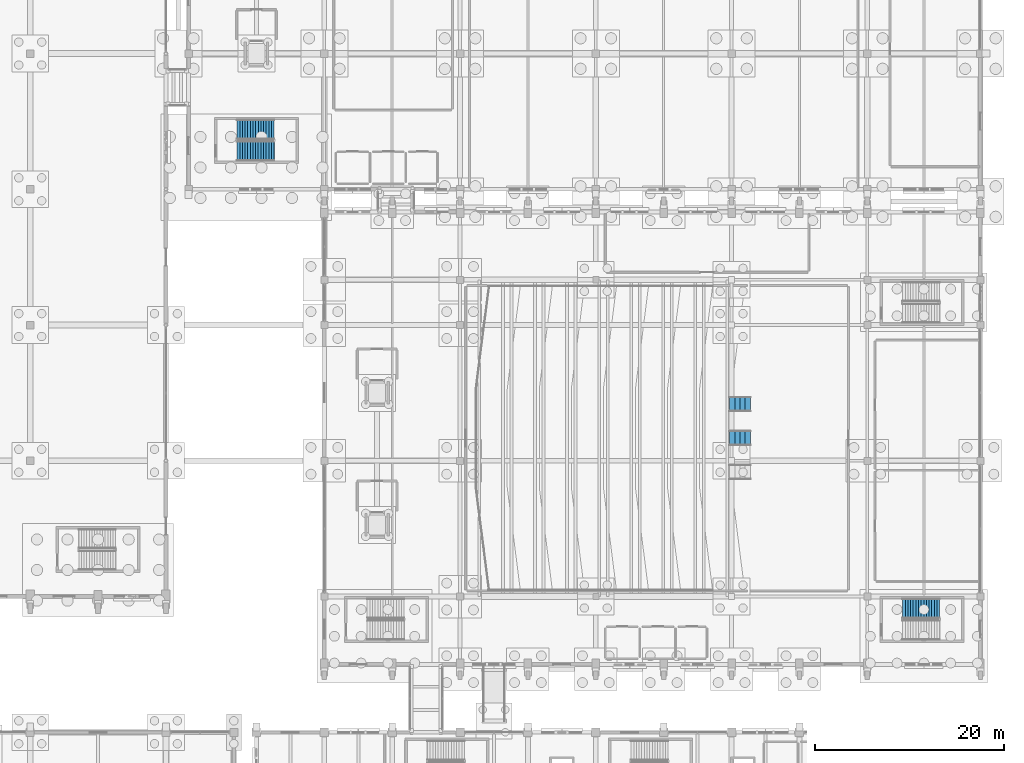
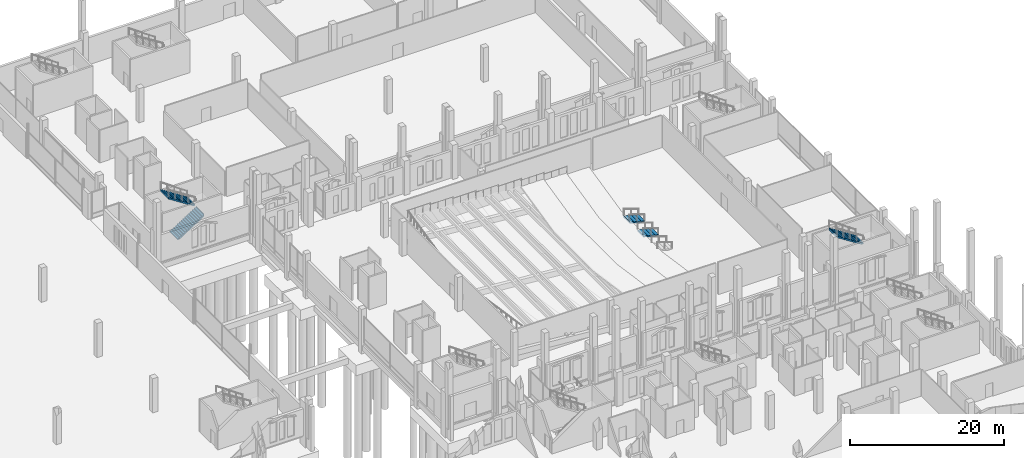
# One storey, part 165 of 192: 5 stair flights, 4 elements without a shape of their own.
"""IFC4 building model written with IfcOpenShell, lengths in metres."""

from ifc_helpers import new_model, si_unit, direction, frame, origin, place, context, subcontext, project, spatial, triangles, material, type_object, element, aggregate, save


model = new_model("IFC4")

# Units and contexts
model_context = context("Model", 3, precision=1e-05, world=origin(), true_north=direction((0.0, 1.0)))
body_context = subcontext(model_context, "Body", "Model", "MODEL_VIEW")
ifc_project = project(units=[si_unit("LENGTHUNIT", "METRE"), si_unit("AREAUNIT", "SQUARE_METRE"), si_unit("VOLUMEUNIT", "CUBIC_METRE"), si_unit("PLANEANGLEUNIT", "RADIAN"), si_unit("MASSUNIT", "GRAM", prefix="KILO")], contexts=[model_context])

# Site, building, storey
site_placement = place(None, origin())
site = spatial("IfcSite", under=ifc_project, at=site_placement, CompositionType="ELEMENT")
building_placement = place(site_placement, origin())
building = spatial("IfcBuilding", under=site, at=building_placement, Name="Cendralis Lancet Convention Centre", CompositionType="ELEMENT")
storey_placement = place(building_placement, origin())
storey = spatial("IfcBuildingStorey", under=building, at=storey_placement, Name="L00", CompositionType="ELEMENT", Elevation=0.0)

# Stair, stair flights
ifc_material = material(Name="Concrete G35 (C35/45)", Category="concrete")
stair_type_1 = type_object("IfcStairType", Name="ARC-ST-CORE", PredefinedType="HALF_TURN_STAIR", material=ifc_material)
stair_1_placement = place(storey_placement, origin())
stair_1 = element("IfcStair", 1, at=stair_1_placement, inside=storey, type_object=stair_type_1, Name="L00 Protected Exit Stair ST-07", PredefinedType="HALF_TURN_STAIR")
stair_flight_type_1 = type_object("IfcStairFlightType", Name="ARC-SF-CORE", PredefinedType="STRAIGHT", material=ifc_material)
stair_flight_1_placement = place(storey_placement, frame((129.949951171875, 97.64990234375, 0.0), z_axis=(0.0, 0.0, 1.0), x_axis=(1.0, 0.0, 0.0)))
stair_flight_1 = element("IfcStairFlight", 2, at=stair_flight_1_placement, type_object=stair_flight_type_1, Name="ST-07 flight 1", NumberOfRisers=15, NumberOfTreads=14, PredefinedType="STRAIGHT", RiserHeight=0.18, TreadLength=0.28, context=body_context, shape_type="Tessellation", body=[
    triangles([(0.0, 0.0, 0.09), (0.0, 1.050049, 0.0), (0.0, -1.050049, 0.0), (0.0, -1.050049, 0.18), (0.0, 1.050049, 0.18), (0.138604, 0.0, 0.18), (0.277208, -1.050049, 0.18), (0.277208, 1.050049, 0.18), (0.138604, 0.0, 0.0), (0.277208, -1.050049, 0.0), (0.277208, 1.050049, 0.0), (0.278604, 0.0, 0.18), (0.28, -1.050049, 0.18), (0.28, 1.050049, 0.18), (0.278604, 0.0, 0.000897), (0.28, -1.050049, 0.001795), (0.28, 1.050049, 0.001795), (0.28, 0.0, 0.27), (0.28, -1.050049, 0.36), (0.28, 1.050049, 0.36), (0.42, 0.0, 0.36), (0.56, -1.050049, 0.36), (0.56, 1.050049, 0.36), (0.42, 0.0, 0.091795), (0.56, -1.050049, 0.181795), (0.56, 1.050049, 0.181795), (0.56, 0.0, 0.45), (0.56, -1.050049, 0.54), (0.56, 1.050049, 0.54), (0.7, 0.0, 0.54), (0.84, -1.050049, 0.54), (0.84, 1.050049, 0.54), (0.7, 0.0, 0.271795), (0.84, -1.050049, 0.361795), (0.84, 1.050049, 0.361795), (0.84, 0.0, 0.63), (0.84, -1.050049, 0.72), (0.84, 1.050049, 0.72), (0.98, 0.0, 0.72), (1.12, -1.050049, 0.72), (1.12, 1.050049, 0.72), (0.98, 0.0, 0.451795), (1.12, -1.050049, 0.541795), (1.12, 1.050049, 0.541795), (1.12, 0.0, 0.81), (1.12, -1.050049, 0.9), (1.12, 1.050049, 0.9), (1.26, 0.0, 0.9), (1.4, -1.050049, 0.9), (1.4, 1.050049, 0.9), (1.26, 0.0, 0.631795), (1.4, -1.050049, 0.721795), (1.4, 1.050049, 0.721795), (1.4, 0.0, 0.99), (1.4, -1.050049, 1.08), (1.4, 1.050049, 1.08), (1.54, 0.0, 1.08), (1.68, -1.050049, 1.08), (1.68, 1.050049, 1.08), (1.54, 0.0, 0.811795), (1.68, -1.050049, 0.901795), (1.68, 1.050049, 0.901795), (1.68, 0.0, 1.17), (1.68, -1.050049, 1.26), (1.68, 1.050049, 1.26), (1.82, 0.0, 1.26), (1.96, -1.050049, 1.26), (1.96, 1.050049, 1.26), (1.82, 0.0, 0.991795), (1.96, -1.050049, 1.081795), (1.96, 1.050049, 1.081795), (1.96, 0.0, 1.35), (1.96, -1.050049, 1.44), (1.96, 1.050049, 1.44), (2.1, 0.0, 1.44), (2.24, -1.050049, 1.44), (2.24, 1.050049, 1.44), (2.1, 0.0, 1.171795), (2.24, -1.050049, 1.261795), (2.24, 1.050049, 1.261795), (2.24, 0.0, 1.53), (2.24, -1.050049, 1.62), (2.24, 1.050049, 1.62), (2.38, 0.0, 1.62), (2.52, -1.050049, 1.62), (2.52, 1.050049, 1.62), (2.38, 0.0, 1.351795), (2.52, -1.050049, 1.441795), (2.52, 1.050049, 1.441795), (2.52, 0.0, 1.71), (2.52, -1.050049, 1.8), (2.52, 1.050049, 1.8), (2.66, 0.0, 1.8), (2.8, -1.050049, 1.8), (2.8, 1.050049, 1.8), (2.66, 0.0, 1.531795), (2.8, -1.050049, 1.621795), (2.8, 1.050049, 1.621795), (2.8, 0.0, 1.89), (2.8, -1.050049, 1.98), (2.8, 1.050049, 1.98), (2.94, 0.0, 1.98), (3.08, -1.050049, 1.98), (3.08, 1.050049, 1.98), (2.94, 0.0, 1.711795), (3.08, -1.050049, 1.801795), (3.08, 1.050049, 1.801795), (3.08, 0.0, 2.07), (3.08, -1.050049, 2.16), (3.08, 1.050049, 2.16), (3.22, 0.0, 2.16), (3.36, -1.050049, 2.16), (3.36, 1.050049, 2.16), (3.22, 0.0, 1.891795), (3.36, -1.050049, 1.981795), (3.36, 1.050049, 1.981795), (3.36, 0.0, 2.25), (3.36, -1.050049, 2.34), (3.36, 1.050049, 2.34), (3.5, 0.0, 2.34), (3.64, -1.050049, 2.34), (3.64, 1.050049, 2.34), (3.5, 0.0, 2.071795), (3.64, -1.050049, 2.161795), (3.64, 1.050049, 2.161795), (3.64, 0.0, 2.43), (3.64, -1.050049, 2.52), (3.64, 1.050049, 2.52), (3.78, 0.0, 2.52), (3.92, -1.050049, 2.52), (3.92, 1.050049, 2.52), (3.78, 0.0, 2.251795), (3.92, -1.050049, 2.341795), (3.92, 1.050049, 2.341795), (3.92, 0.0, 2.61), (3.92, -1.050049, 2.7), (3.92, 1.050049, 2.7), (3.94, 0.0, 2.7), (3.96, -1.050049, 2.7), (3.96, 1.050049, 2.7), (3.94, 0.0, 2.341795), (3.96, -1.050049, 2.341795), (3.96, 1.050049, 2.341795), (3.96, 0.0, 2.520898)], [[2, 3, 1], [3, 4, 1], [4, 5, 1], [5, 2, 1], [4, 7, 6], [7, 8, 6], [8, 5, 6], [5, 4, 6], [10, 3, 9], [3, 2, 9], [2, 11, 9], [11, 10, 9], [3, 10, 7], [3, 7, 4], [2, 8, 11], [2, 5, 8], [7, 13, 12], [13, 14, 12], [14, 8, 12], [8, 7, 12], [16, 10, 15], [10, 11, 15], [11, 17, 15], [17, 16, 15], [10, 16, 13], [10, 13, 7], [11, 14, 17], [11, 8, 14], [14, 13, 18], [13, 19, 18], [19, 20, 18], [20, 14, 18], [19, 22, 21], [22, 23, 21], [23, 20, 21], [20, 19, 21], [25, 16, 24], [16, 17, 24], [17, 26, 24], [26, 25, 24], [16, 25, 22], [16, 22, 13], [13, 22, 19], [17, 23, 26], [17, 14, 23], [14, 20, 23], [23, 22, 27], [22, 28, 27], [28, 29, 27], [29, 23, 27], [28, 31, 30], [31, 32, 30], [32, 29, 30], [29, 28, 30], [34, 25, 33], [25, 26, 33], [26, 35, 33], [35, 34, 33], [25, 34, 31], [25, 31, 22], [22, 31, 28], [26, 32, 35], [26, 23, 32], [23, 29, 32], [32, 31, 36], [31, 37, 36], [37, 38, 36], [38, 32, 36], [37, 40, 39], [40, 41, 39], [41, 38, 39], [38, 37, 39], [43, 34, 42], [34, 35, 42], [35, 44, 42], [44, 43, 42], [34, 43, 40], [34, 40, 31], [31, 40, 37], [35, 41, 44], [35, 32, 41], [32, 38, 41], [41, 40, 45], [40, 46, 45], [46, 47, 45], [47, 41, 45], [46, 49, 48], [49, 50, 48], [50, 47, 48], [47, 46, 48], [52, 43, 51], [43, 44, 51], [44, 53, 51], [53, 52, 51], [43, 52, 49], [43, 49, 40], [40, 49, 46], [44, 50, 53], [44, 41, 50], [41, 47, 50], [50, 49, 54], [49, 55, 54], [55, 56, 54], [56, 50, 54], [55, 58, 57], [58, 59, 57], [59, 56, 57], [56, 55, 57], [61, 52, 60], [52, 53, 60], [53, 62, 60], [62, 61, 60], [52, 61, 58], [52, 58, 49], [49, 58, 55], [53, 59, 62], [53, 50, 59], [50, 56, 59], [59, 58, 63], [58, 64, 63], [64, 65, 63], [65, 59, 63], [64, 67, 66], [67, 68, 66], [68, 65, 66], [65, 64, 66], [70, 61, 69], [61, 62, 69], [62, 71, 69], [71, 70, 69], [61, 70, 67], [61, 67, 58], [58, 67, 64], [62, 68, 71], [62, 59, 68], [59, 65, 68], [68, 67, 72], [67, 73, 72], [73, 74, 72], [74, 68, 72], [73, 76, 75], [76, 77, 75], [77, 74, 75], [74, 73, 75], [79, 70, 78], [70, 71, 78], [71, 80, 78], [80, 79, 78], [70, 79, 76], [70, 76, 67], [67, 76, 73], [71, 77, 80], [71, 68, 77], [68, 74, 77], [77, 76, 81], [76, 82, 81], [82, 83, 81], [83, 77, 81], [82, 85, 84], [85, 86, 84], [86, 83, 84], [83, 82, 84], [88, 79, 87], [79, 80, 87], [80, 89, 87], [89, 88, 87], [79, 88, 85], [79, 85, 76], [76, 85, 82], [80, 86, 89], [80, 77, 86], [77, 83, 86], [86, 85, 90], [85, 91, 90], [91, 92, 90], [92, 86, 90], [91, 94, 93], [94, 95, 93], [95, 92, 93], [92, 91, 93], [97, 88, 96], [88, 89, 96], [89, 98, 96], [98, 97, 96], [88, 97, 94], [88, 94, 85], [85, 94, 91], [89, 95, 98], [89, 86, 95], [86, 92, 95], [95, 94, 99], [94, 100, 99], [100, 101, 99], [101, 95, 99], [100, 103, 102], [103, 104, 102], [104, 101, 102], [101, 100, 102], [106, 97, 105], [97, 98, 105], [98, 107, 105], [107, 106, 105], [97, 106, 103], [97, 103, 94], [94, 103, 100], [98, 104, 107], [98, 95, 104], [95, 101, 104], [104, 103, 108], [103, 109, 108], [109, 110, 108], [110, 104, 108], [109, 112, 111], [112, 113, 111], [113, 110, 111], [110, 109, 111], [115, 106, 114], [106, 107, 114], [107, 116, 114], [116, 115, 114], [106, 115, 112], [106, 112, 103], [103, 112, 109], [107, 113, 116], [107, 104, 113], [104, 110, 113], [113, 112, 117], [112, 118, 117], [118, 119, 117], [119, 113, 117], [118, 121, 120], [121, 122, 120], [122, 119, 120], [119, 118, 120], [124, 115, 123], [115, 116, 123], [116, 125, 123], [125, 124, 123], [115, 124, 121], [115, 121, 112], [112, 121, 118], [116, 122, 125], [116, 113, 122], [113, 119, 122], [122, 121, 126], [121, 127, 126], [127, 128, 126], [128, 122, 126], [127, 130, 129], [130, 131, 129], [131, 128, 129], [128, 127, 129], [133, 124, 132], [124, 125, 132], [125, 134, 132], [134, 133, 132], [124, 133, 130], [124, 130, 121], [121, 130, 127], [125, 131, 134], [125, 122, 131], [122, 128, 131], [131, 130, 135], [130, 136, 135], [136, 137, 135], [137, 131, 135], [136, 139, 138], [139, 140, 138], [140, 137, 138], [137, 136, 138], [142, 133, 141], [133, 134, 141], [134, 143, 141], [143, 142, 141], [133, 142, 139], [133, 139, 130], [130, 139, 136], [134, 140, 143], [134, 131, 140], [131, 137, 140], [142, 143, 144], [143, 140, 144], [140, 139, 144], [139, 142, 144]], closed=True),
])
stair_flight_2_placement = place(storey_placement, frame((133.8701171875, 99.929931640625, 2.699951171875), z_axis=(0.0, 0.0, 1.0), x_axis=(-1.0, 0.0, 0.0)))
stair_flight_2 = element("IfcStairFlight", 3, at=stair_flight_2_placement, type_object=stair_flight_type_1, Name="ST-07 flight 2", NumberOfRisers=15, NumberOfTreads=14, PredefinedType="STRAIGHT", RiserHeight=0.18, TreadLength=0.28, context=body_context, shape_type="Tessellation", body=[
    triangles([(0.0, 0.0, 0.09), (0.0, 1.050049, 0.0), (0.0, -1.050049, 0.0), (0.0, -1.050049, 0.18), (0.0, 1.050049, 0.18), (0.138604, 0.0, 0.18), (0.277208, -1.050049, 0.18), (0.277208, 1.050049, 0.18), (0.138604, 0.0, 0.0), (0.277208, -1.050049, 0.0), (0.277208, 1.050049, 0.0), (0.278604, 0.0, 0.18), (0.28, -1.050049, 0.18), (0.28, 1.050049, 0.18), (0.278604, 0.0, 0.000897), (0.28, -1.050049, 0.001795), (0.28, 1.050049, 0.001795), (0.28, 0.0, 0.27), (0.28, -1.050049, 0.36), (0.28, 1.050049, 0.36), (0.42, 0.0, 0.36), (0.56, -1.050049, 0.36), (0.56, 1.050049, 0.36), (0.42, 0.0, 0.091795), (0.56, -1.050049, 0.181795), (0.56, 1.050049, 0.181795), (0.56, 0.0, 0.45), (0.56, -1.050049, 0.54), (0.56, 1.050049, 0.54), (0.7, 0.0, 0.54), (0.84, -1.050049, 0.54), (0.84, 1.050049, 0.54), (0.7, 0.0, 0.271795), (0.84, -1.050049, 0.361795), (0.84, 1.050049, 0.361795), (0.84, 0.0, 0.63), (0.84, -1.050049, 0.72), (0.84, 1.050049, 0.72), (0.98, 0.0, 0.72), (1.12, -1.050049, 0.72), (1.12, 1.050049, 0.72), (0.98, 0.0, 0.451795), (1.12, -1.050049, 0.541795), (1.12, 1.050049, 0.541795), (1.12, 0.0, 0.81), (1.12, -1.050049, 0.9), (1.12, 1.050049, 0.9), (1.26, 0.0, 0.9), (1.4, -1.050049, 0.9), (1.4, 1.050049, 0.9), (1.26, 0.0, 0.631795), (1.4, -1.050049, 0.721795), (1.4, 1.050049, 0.721795), (1.4, 0.0, 0.99), (1.4, -1.050049, 1.08), (1.4, 1.050049, 1.08), (1.54, 0.0, 1.08), (1.68, -1.050049, 1.08), (1.68, 1.050049, 1.08), (1.54, 0.0, 0.811795), (1.68, -1.050049, 0.901795), (1.68, 1.050049, 0.901795), (1.68, 0.0, 1.17), (1.68, -1.050049, 1.26), (1.68, 1.050049, 1.26), (1.82, 0.0, 1.26), (1.96, -1.050049, 1.26), (1.96, 1.050049, 1.26), (1.82, 0.0, 0.991795), (1.96, -1.050049, 1.081795), (1.96, 1.050049, 1.081795), (1.96, 0.0, 1.35), (1.96, -1.050049, 1.44), (1.96, 1.050049, 1.44), (2.1, 0.0, 1.44), (2.24, -1.050049, 1.44), (2.24, 1.050049, 1.44), (2.1, 0.0, 1.171795), (2.24, -1.050049, 1.261795), (2.24, 1.050049, 1.261795), (2.24, 0.0, 1.53), (2.24, -1.050049, 1.62), (2.24, 1.050049, 1.62), (2.38, 0.0, 1.62), (2.52, -1.050049, 1.62), (2.52, 1.050049, 1.62), (2.38, 0.0, 1.351795), (2.52, -1.050049, 1.441795), (2.52, 1.050049, 1.441795), (2.52, 0.0, 1.71), (2.52, -1.050049, 1.8), (2.52, 1.050049, 1.8), (2.66, 0.0, 1.8), (2.8, -1.050049, 1.8), (2.8, 1.050049, 1.8), (2.66, 0.0, 1.531795), (2.8, -1.050049, 1.621795), (2.8, 1.050049, 1.621795), (2.8, 0.0, 1.89), (2.8, -1.050049, 1.98), (2.8, 1.050049, 1.98), (2.94, 0.0, 1.98), (3.08, -1.050049, 1.98), (3.08, 1.050049, 1.98), (2.94, 0.0, 1.711795), (3.08, -1.050049, 1.801795), (3.08, 1.050049, 1.801795), (3.08, 0.0, 2.07), (3.08, -1.050049, 2.16), (3.08, 1.050049, 2.16), (3.22, 0.0, 2.16), (3.36, -1.050049, 2.16), (3.36, 1.050049, 2.16), (3.22, 0.0, 1.891795), (3.36, -1.050049, 1.981795), (3.36, 1.050049, 1.981795), (3.36, 0.0, 2.25), (3.36, -1.050049, 2.34), (3.36, 1.050049, 2.34), (3.5, 0.0, 2.34), (3.64, -1.050049, 2.34), (3.64, 1.050049, 2.34), (3.5, 0.0, 2.071795), (3.64, -1.050049, 2.161795), (3.64, 1.050049, 2.161795), (3.64, 0.0, 2.43), (3.64, -1.050049, 2.52), (3.64, 1.050049, 2.52), (3.78, 0.0, 2.52), (3.92, -1.050049, 2.52), (3.92, 1.050049, 2.52), (3.78, 0.0, 2.251795), (3.92, -1.050049, 2.341795), (3.92, 1.050049, 2.341795), (3.92, 0.0, 2.61), (3.92, -1.050049, 2.7), (3.92, 1.050049, 2.7), (3.94, 0.0, 2.7), (3.96, -1.050049, 2.7), (3.96, 1.050049, 2.7), (3.94, 0.0, 2.341795), (3.96, -1.050049, 2.341795), (3.96, 1.050049, 2.341795), (3.96, 0.0, 2.520898)], [[2, 3, 1], [3, 4, 1], [4, 5, 1], [5, 2, 1], [4, 7, 6], [7, 8, 6], [8, 5, 6], [5, 4, 6], [10, 3, 9], [3, 2, 9], [2, 11, 9], [11, 10, 9], [3, 10, 7], [3, 7, 4], [2, 8, 11], [2, 5, 8], [7, 13, 12], [13, 14, 12], [14, 8, 12], [8, 7, 12], [16, 10, 15], [10, 11, 15], [11, 17, 15], [17, 16, 15], [10, 16, 13], [10, 13, 7], [11, 14, 17], [11, 8, 14], [14, 13, 18], [13, 19, 18], [19, 20, 18], [20, 14, 18], [19, 22, 21], [22, 23, 21], [23, 20, 21], [20, 19, 21], [25, 16, 24], [16, 17, 24], [17, 26, 24], [26, 25, 24], [16, 25, 22], [16, 22, 13], [13, 22, 19], [17, 23, 26], [17, 14, 23], [14, 20, 23], [23, 22, 27], [22, 28, 27], [28, 29, 27], [29, 23, 27], [28, 31, 30], [31, 32, 30], [32, 29, 30], [29, 28, 30], [34, 25, 33], [25, 26, 33], [26, 35, 33], [35, 34, 33], [25, 34, 31], [25, 31, 22], [22, 31, 28], [26, 32, 35], [26, 23, 32], [23, 29, 32], [32, 31, 36], [31, 37, 36], [37, 38, 36], [38, 32, 36], [37, 40, 39], [40, 41, 39], [41, 38, 39], [38, 37, 39], [43, 34, 42], [34, 35, 42], [35, 44, 42], [44, 43, 42], [34, 43, 40], [34, 40, 31], [31, 40, 37], [35, 41, 44], [35, 32, 41], [32, 38, 41], [41, 40, 45], [40, 46, 45], [46, 47, 45], [47, 41, 45], [46, 49, 48], [49, 50, 48], [50, 47, 48], [47, 46, 48], [52, 43, 51], [43, 44, 51], [44, 53, 51], [53, 52, 51], [43, 52, 49], [43, 49, 40], [40, 49, 46], [44, 50, 53], [44, 41, 50], [41, 47, 50], [50, 49, 54], [49, 55, 54], [55, 56, 54], [56, 50, 54], [55, 58, 57], [58, 59, 57], [59, 56, 57], [56, 55, 57], [61, 52, 60], [52, 53, 60], [53, 62, 60], [62, 61, 60], [52, 61, 58], [52, 58, 49], [49, 58, 55], [53, 59, 62], [53, 50, 59], [50, 56, 59], [59, 58, 63], [58, 64, 63], [64, 65, 63], [65, 59, 63], [64, 67, 66], [67, 68, 66], [68, 65, 66], [65, 64, 66], [70, 61, 69], [61, 62, 69], [62, 71, 69], [71, 70, 69], [61, 70, 67], [61, 67, 58], [58, 67, 64], [62, 68, 71], [62, 59, 68], [59, 65, 68], [68, 67, 72], [67, 73, 72], [73, 74, 72], [74, 68, 72], [73, 76, 75], [76, 77, 75], [77, 74, 75], [74, 73, 75], [79, 70, 78], [70, 71, 78], [71, 80, 78], [80, 79, 78], [70, 79, 76], [70, 76, 67], [67, 76, 73], [71, 77, 80], [71, 68, 77], [68, 74, 77], [77, 76, 81], [76, 82, 81], [82, 83, 81], [83, 77, 81], [82, 85, 84], [85, 86, 84], [86, 83, 84], [83, 82, 84], [88, 79, 87], [79, 80, 87], [80, 89, 87], [89, 88, 87], [79, 88, 85], [79, 85, 76], [76, 85, 82], [80, 86, 89], [80, 77, 86], [77, 83, 86], [86, 85, 90], [85, 91, 90], [91, 92, 90], [92, 86, 90], [91, 94, 93], [94, 95, 93], [95, 92, 93], [92, 91, 93], [97, 88, 96], [88, 89, 96], [89, 98, 96], [98, 97, 96], [88, 97, 94], [88, 94, 85], [85, 94, 91], [89, 95, 98], [89, 86, 95], [86, 92, 95], [95, 94, 99], [94, 100, 99], [100, 101, 99], [101, 95, 99], [100, 103, 102], [103, 104, 102], [104, 101, 102], [101, 100, 102], [106, 97, 105], [97, 98, 105], [98, 107, 105], [107, 106, 105], [97, 106, 103], [97, 103, 94], [94, 103, 100], [98, 104, 107], [98, 95, 104], [95, 101, 104], [104, 103, 108], [103, 109, 108], [109, 110, 108], [110, 104, 108], [109, 112, 111], [112, 113, 111], [113, 110, 111], [110, 109, 111], [115, 106, 114], [106, 107, 114], [107, 116, 114], [116, 115, 114], [106, 115, 112], [106, 112, 103], [103, 112, 109], [107, 113, 116], [107, 104, 113], [104, 110, 113], [113, 112, 117], [112, 118, 117], [118, 119, 117], [119, 113, 117], [118, 121, 120], [121, 122, 120], [122, 119, 120], [119, 118, 120], [124, 115, 123], [115, 116, 123], [116, 125, 123], [125, 124, 123], [115, 124, 121], [115, 121, 112], [112, 121, 118], [116, 122, 125], [116, 113, 122], [113, 119, 122], [122, 121, 126], [121, 127, 126], [127, 128, 126], [128, 122, 126], [127, 130, 129], [130, 131, 129], [131, 128, 129], [128, 127, 129], [133, 124, 132], [124, 125, 132], [125, 134, 132], [134, 133, 132], [124, 133, 130], [124, 130, 121], [121, 130, 127], [125, 131, 134], [125, 122, 131], [122, 128, 131], [131, 130, 135], [130, 136, 135], [136, 137, 135], [137, 131, 135], [136, 139, 138], [139, 140, 138], [140, 137, 138], [137, 136, 138], [142, 133, 141], [133, 134, 141], [134, 143, 141], [143, 142, 141], [133, 142, 139], [133, 139, 130], [130, 139, 136], [134, 140, 143], [134, 131, 140], [131, 137, 140], [142, 143, 144], [143, 140, 144], [140, 139, 144], [139, 142, 144]], closed=True),
])
aggregate(stair_1, [stair_flight_1, stair_flight_2])

# Stair, stair flight
stair_2_placement = place(storey_placement, origin())
stair_2 = element("IfcStair", 4, at=stair_2_placement, inside=storey, type_object=stair_type_1, Name="L00 Protected Exit Stair ST-09", PredefinedType="HALF_TURN_STAIR")
stair_flight_3_placement = place(storey_placement, frame((204.469970703125, 49.1298828125, 2.699951171875), z_axis=(0.0, 0.0, 1.0), x_axis=(-1.0, 0.0, 0.0)))
stair_flight_3 = element("IfcStairFlight", 5, at=stair_flight_3_placement, type_object=stair_flight_type_1, Name="ST-09 flight 2", NumberOfRisers=15, NumberOfTreads=14, PredefinedType="STRAIGHT", RiserHeight=0.18, TreadLength=0.28, context=body_context, shape_type="Tessellation", body=[
    triangles([(0.0, 0.0, 0.09), (0.0, 1.050049, 0.0), (0.0, -1.050049, 0.0), (0.0, -1.050049, 0.18), (0.0, 1.050049, 0.18), (0.138604, 0.0, 0.18), (0.277208, -1.050049, 0.18), (0.277208, 1.050049, 0.18), (0.138604, 0.0, 0.0), (0.277208, -1.050049, 0.0), (0.277208, 1.050049, 0.0), (0.278604, 0.0, 0.18), (0.28, -1.050049, 0.18), (0.28, 1.050049, 0.18), (0.278604, 0.0, 0.000897), (0.28, -1.050049, 0.001795), (0.28, 1.050049, 0.001795), (0.28, 0.0, 0.27), (0.28, -1.050049, 0.36), (0.28, 1.050049, 0.36), (0.42, 0.0, 0.36), (0.56, -1.050049, 0.36), (0.56, 1.050049, 0.36), (0.42, 0.0, 0.091795), (0.56, -1.050049, 0.181795), (0.56, 1.050049, 0.181795), (0.56, 0.0, 0.45), (0.56, -1.050049, 0.54), (0.56, 1.050049, 0.54), (0.7, 0.0, 0.54), (0.84, -1.050049, 0.54), (0.84, 1.050049, 0.54), (0.7, 0.0, 0.271795), (0.84, -1.050049, 0.361795), (0.84, 1.050049, 0.361795), (0.84, 0.0, 0.63), (0.84, -1.050049, 0.72), (0.84, 1.050049, 0.72), (0.98, 0.0, 0.72), (1.12, -1.050049, 0.72), (1.12, 1.050049, 0.72), (0.98, 0.0, 0.451795), (1.12, -1.050049, 0.541795), (1.12, 1.050049, 0.541795), (1.12, 0.0, 0.81), (1.12, -1.050049, 0.9), (1.12, 1.050049, 0.9), (1.26, 0.0, 0.9), (1.4, -1.050049, 0.9), (1.4, 1.050049, 0.9), (1.26, 0.0, 0.631795), (1.4, -1.050049, 0.721795), (1.4, 1.050049, 0.721795), (1.4, 0.0, 0.99), (1.4, -1.050049, 1.08), (1.4, 1.050049, 1.08), (1.54, 0.0, 1.08), (1.68, -1.050049, 1.08), (1.68, 1.050049, 1.08), (1.54, 0.0, 0.811795), (1.68, -1.050049, 0.901795), (1.68, 1.050049, 0.901795), (1.68, 0.0, 1.17), (1.68, -1.050049, 1.26), (1.68, 1.050049, 1.26), (1.82, 0.0, 1.26), (1.96, -1.050049, 1.26), (1.96, 1.050049, 1.26), (1.82, 0.0, 0.991795), (1.96, -1.050049, 1.081795), (1.96, 1.050049, 1.081795), (1.96, 0.0, 1.35), (1.96, -1.050049, 1.44), (1.96, 1.050049, 1.44), (2.1, 0.0, 1.44), (2.24, -1.050049, 1.44), (2.24, 1.050049, 1.44), (2.1, 0.0, 1.171795), (2.24, -1.050049, 1.261795), (2.24, 1.050049, 1.261795), (2.24, 0.0, 1.53), (2.24, -1.050049, 1.62), (2.24, 1.050049, 1.62), (2.38, 0.0, 1.62), (2.52, -1.050049, 1.62), (2.52, 1.050049, 1.62), (2.38, 0.0, 1.351795), (2.52, -1.050049, 1.441795), (2.52, 1.050049, 1.441795), (2.52, 0.0, 1.71), (2.52, -1.050049, 1.8), (2.52, 1.050049, 1.8), (2.66, 0.0, 1.8), (2.8, -1.050049, 1.8), (2.8, 1.050049, 1.8), (2.66, 0.0, 1.531795), (2.8, -1.050049, 1.621795), (2.8, 1.050049, 1.621795), (2.8, 0.0, 1.89), (2.8, -1.050049, 1.98), (2.8, 1.050049, 1.98), (2.94, 0.0, 1.98), (3.08, -1.050049, 1.98), (3.08, 1.050049, 1.98), (2.94, 0.0, 1.711795), (3.08, -1.050049, 1.801795), (3.08, 1.050049, 1.801795), (3.08, 0.0, 2.07), (3.08, -1.050049, 2.16), (3.08, 1.050049, 2.16), (3.22, 0.0, 2.16), (3.36, -1.050049, 2.16), (3.36, 1.050049, 2.16), (3.22, 0.0, 1.891795), (3.36, -1.050049, 1.981795), (3.36, 1.050049, 1.981795), (3.36, 0.0, 2.25), (3.36, -1.050049, 2.34), (3.36, 1.050049, 2.34), (3.5, 0.0, 2.34), (3.64, -1.050049, 2.34), (3.64, 1.050049, 2.34), (3.5, 0.0, 2.071795), (3.64, -1.050049, 2.161795), (3.64, 1.050049, 2.161795), (3.64, 0.0, 2.43), (3.64, -1.050049, 2.52), (3.64, 1.050049, 2.52), (3.78, 0.0, 2.52), (3.92, -1.050049, 2.52), (3.92, 1.050049, 2.52), (3.78, 0.0, 2.251795), (3.92, -1.050049, 2.341795), (3.92, 1.050049, 2.341795), (3.92, 0.0, 2.61), (3.92, -1.050049, 2.7), (3.92, 1.050049, 2.7), (3.94, 0.0, 2.7), (3.96, -1.050049, 2.7), (3.96, 1.050049, 2.7), (3.94, 0.0, 2.341795), (3.96, -1.050049, 2.341795), (3.96, 1.050049, 2.341795), (3.96, 0.0, 2.520898)], [[2, 3, 1], [3, 4, 1], [4, 5, 1], [5, 2, 1], [4, 7, 6], [7, 8, 6], [8, 5, 6], [5, 4, 6], [10, 3, 9], [3, 2, 9], [2, 11, 9], [11, 10, 9], [3, 10, 7], [3, 7, 4], [2, 8, 11], [2, 5, 8], [7, 13, 12], [13, 14, 12], [14, 8, 12], [8, 7, 12], [16, 10, 15], [10, 11, 15], [11, 17, 15], [17, 16, 15], [10, 16, 13], [10, 13, 7], [11, 14, 17], [11, 8, 14], [14, 13, 18], [13, 19, 18], [19, 20, 18], [20, 14, 18], [19, 22, 21], [22, 23, 21], [23, 20, 21], [20, 19, 21], [25, 16, 24], [16, 17, 24], [17, 26, 24], [26, 25, 24], [16, 25, 22], [16, 22, 13], [13, 22, 19], [17, 23, 26], [17, 14, 23], [14, 20, 23], [23, 22, 27], [22, 28, 27], [28, 29, 27], [29, 23, 27], [28, 31, 30], [31, 32, 30], [32, 29, 30], [29, 28, 30], [34, 25, 33], [25, 26, 33], [26, 35, 33], [35, 34, 33], [25, 34, 31], [25, 31, 22], [22, 31, 28], [26, 32, 35], [26, 23, 32], [23, 29, 32], [32, 31, 36], [31, 37, 36], [37, 38, 36], [38, 32, 36], [37, 40, 39], [40, 41, 39], [41, 38, 39], [38, 37, 39], [43, 34, 42], [34, 35, 42], [35, 44, 42], [44, 43, 42], [34, 43, 40], [34, 40, 31], [31, 40, 37], [35, 41, 44], [35, 32, 41], [32, 38, 41], [41, 40, 45], [40, 46, 45], [46, 47, 45], [47, 41, 45], [46, 49, 48], [49, 50, 48], [50, 47, 48], [47, 46, 48], [52, 43, 51], [43, 44, 51], [44, 53, 51], [53, 52, 51], [43, 52, 49], [43, 49, 40], [40, 49, 46], [44, 50, 53], [44, 41, 50], [41, 47, 50], [50, 49, 54], [49, 55, 54], [55, 56, 54], [56, 50, 54], [55, 58, 57], [58, 59, 57], [59, 56, 57], [56, 55, 57], [61, 52, 60], [52, 53, 60], [53, 62, 60], [62, 61, 60], [52, 61, 58], [52, 58, 49], [49, 58, 55], [53, 59, 62], [53, 50, 59], [50, 56, 59], [59, 58, 63], [58, 64, 63], [64, 65, 63], [65, 59, 63], [64, 67, 66], [67, 68, 66], [68, 65, 66], [65, 64, 66], [70, 61, 69], [61, 62, 69], [62, 71, 69], [71, 70, 69], [61, 70, 67], [61, 67, 58], [58, 67, 64], [62, 68, 71], [62, 59, 68], [59, 65, 68], [68, 67, 72], [67, 73, 72], [73, 74, 72], [74, 68, 72], [73, 76, 75], [76, 77, 75], [77, 74, 75], [74, 73, 75], [79, 70, 78], [70, 71, 78], [71, 80, 78], [80, 79, 78], [70, 79, 76], [70, 76, 67], [67, 76, 73], [71, 77, 80], [71, 68, 77], [68, 74, 77], [77, 76, 81], [76, 82, 81], [82, 83, 81], [83, 77, 81], [82, 85, 84], [85, 86, 84], [86, 83, 84], [83, 82, 84], [88, 79, 87], [79, 80, 87], [80, 89, 87], [89, 88, 87], [79, 88, 85], [79, 85, 76], [76, 85, 82], [80, 86, 89], [80, 77, 86], [77, 83, 86], [86, 85, 90], [85, 91, 90], [91, 92, 90], [92, 86, 90], [91, 94, 93], [94, 95, 93], [95, 92, 93], [92, 91, 93], [97, 88, 96], [88, 89, 96], [89, 98, 96], [98, 97, 96], [88, 97, 94], [88, 94, 85], [85, 94, 91], [89, 95, 98], [89, 86, 95], [86, 92, 95], [95, 94, 99], [94, 100, 99], [100, 101, 99], [101, 95, 99], [100, 103, 102], [103, 104, 102], [104, 101, 102], [101, 100, 102], [106, 97, 105], [97, 98, 105], [98, 107, 105], [107, 106, 105], [97, 106, 103], [97, 103, 94], [94, 103, 100], [98, 104, 107], [98, 95, 104], [95, 101, 104], [104, 103, 108], [103, 109, 108], [109, 110, 108], [110, 104, 108], [109, 112, 111], [112, 113, 111], [113, 110, 111], [110, 109, 111], [115, 106, 114], [106, 107, 114], [107, 116, 114], [116, 115, 114], [106, 115, 112], [106, 112, 103], [103, 112, 109], [107, 113, 116], [107, 104, 113], [104, 110, 113], [113, 112, 117], [112, 118, 117], [118, 119, 117], [119, 113, 117], [118, 121, 120], [121, 122, 120], [122, 119, 120], [119, 118, 120], [124, 115, 123], [115, 116, 123], [116, 125, 123], [125, 124, 123], [115, 124, 121], [115, 121, 112], [112, 121, 118], [116, 122, 125], [116, 113, 122], [113, 119, 122], [122, 121, 126], [121, 127, 126], [127, 128, 126], [128, 122, 126], [127, 130, 129], [130, 131, 129], [131, 128, 129], [128, 127, 129], [133, 124, 132], [124, 125, 132], [125, 134, 132], [134, 133, 132], [124, 133, 130], [124, 130, 121], [121, 130, 127], [125, 131, 134], [125, 122, 131], [122, 128, 131], [131, 130, 135], [130, 136, 135], [136, 137, 135], [137, 131, 135], [136, 139, 138], [139, 140, 138], [140, 137, 138], [137, 136, 138], [142, 133, 141], [133, 134, 141], [134, 143, 141], [143, 142, 141], [133, 142, 139], [133, 139, 130], [130, 139, 136], [134, 140, 143], [134, 131, 140], [131, 137, 140], [142, 143, 144], [143, 140, 144], [140, 139, 144], [139, 142, 144]], closed=True),
])
aggregate(stair_2, [stair_flight_3])

stair_type_2 = type_object("IfcStairType", Name="ARC-ST-VOM", PredefinedType="STRAIGHT_RUN_STAIR", material=ifc_material)
stair_3_placement = place(storey_placement, origin())
stair_3 = element("IfcStair", 6, at=stair_3_placement, inside=storey, type_object=stair_type_2, Name="Plenary Stalls Vomitory Gangway Stair VS-02", PredefinedType="STRAIGHT_RUN_STAIR")
stair_flight_type_2 = type_object("IfcStairFlightType", Name="ARC-SF-VOM", PredefinedType="STRAIGHT", material=ifc_material)
stair_flight_4_placement = place(storey_placement, frame((184.39990234375, 67.199951171875, 0.0), z_axis=(0.0, 0.0, 1.0), x_axis=(-1.0, 0.0, 0.0)))
stair_flight_4 = element("IfcStairFlight", 7, at=stair_flight_4_placement, type_object=stair_flight_type_2, Name="Plenary Stalls Vomitory Gangway Stair VS-02 Flight", NumberOfRisers=5, NumberOfTreads=4, PredefinedType="STRAIGHT", RiserHeight=0.15, TreadLength=0.55, context=body_context, shape_type="Tessellation", body=[
    triangles([(0.0, 0.0, 0.075), (0.0, 0.800049, 0.0), (0.0, -0.800049, 0.0), (0.0, -0.800049, 0.15), (0.0, 0.800049, 0.15), (0.275, 0.0, 0.15), (0.55, -0.800049, 0.15), (0.55, 0.800049, 0.15), (0.275, 0.0, 0.0), (0.55, -0.800049, 0.0), (0.55, 0.800049, 0.0), (0.55, 0.0, 0.225), (0.55, -0.800049, 0.3), (0.55, 0.800049, 0.3), (0.559859, 0.0, 0.3), (0.569717, -0.800049, 0.3), (0.569717, 0.800049, 0.3), (0.559859, 0.0, 0.0), (0.569717, -0.800049, 0.0), (0.569717, 0.800049, 0.0), (0.834858, 0.0, 0.3), (1.1, -0.800049, 0.3), (1.1, 0.800049, 0.3), (0.834859, 0.0, 0.072312), (1.1, -0.800049, 0.144623), (1.1, 0.800049, 0.144623), (1.1, 0.0, 0.375), (1.1, -0.800049, 0.45), (1.1, 0.800049, 0.45), (1.375, 0.0, 0.45), (1.65, -0.800049, 0.45), (1.65, 0.800049, 0.45), (1.375, 0.0, 0.219623), (1.65, -0.800049, 0.294623), (1.65, 0.800049, 0.294623), (1.65, 0.0, 0.525), (1.65, -0.800049, 0.6), (1.65, 0.800049, 0.6), (1.925, 0.0, 0.6), (2.2, -0.800049, 0.6), (2.2, 0.800049, 0.6), (1.925, 0.0, 0.369623), (2.2, -0.800049, 0.444623), (2.2, 0.800049, 0.444623), (2.2, 0.0, 0.675), (2.2, -0.800049, 0.75), (2.2, 0.800049, 0.75), (2.22, 0.0, 0.75), (2.24, -0.800049, 0.75), (2.24, 0.800049, 0.75), (2.22, 0.0, 0.444623), (2.24, -0.800049, 0.444623), (2.24, 0.800049, 0.444623), (2.24, 0.0, 0.597311)], [[2, 3, 1], [3, 4, 1], [4, 5, 1], [5, 2, 1], [4, 7, 6], [7, 8, 6], [8, 5, 6], [5, 4, 6], [10, 3, 9], [3, 2, 9], [2, 11, 9], [11, 10, 9], [3, 10, 7], [3, 7, 4], [2, 8, 11], [2, 5, 8], [8, 7, 12], [7, 13, 12], [13, 14, 12], [14, 8, 12], [13, 16, 15], [16, 17, 15], [17, 14, 15], [14, 13, 15], [19, 10, 18], [10, 11, 18], [11, 20, 18], [20, 19, 18], [10, 19, 16], [10, 16, 7], [7, 16, 13], [11, 17, 20], [11, 8, 17], [8, 14, 17], [16, 22, 21], [22, 23, 21], [23, 17, 21], [17, 16, 21], [25, 19, 24], [19, 20, 24], [20, 26, 24], [26, 25, 24], [19, 25, 22], [19, 22, 16], [20, 23, 26], [20, 17, 23], [23, 22, 27], [22, 28, 27], [28, 29, 27], [29, 23, 27], [28, 31, 30], [31, 32, 30], [32, 29, 30], [29, 28, 30], [34, 25, 33], [25, 26, 33], [26, 35, 33], [35, 34, 33], [25, 34, 31], [25, 31, 22], [22, 31, 28], [26, 32, 35], [26, 23, 32], [23, 29, 32], [32, 31, 36], [31, 37, 36], [37, 38, 36], [38, 32, 36], [37, 40, 39], [40, 41, 39], [41, 38, 39], [38, 37, 39], [43, 34, 42], [34, 35, 42], [35, 44, 42], [44, 43, 42], [34, 43, 40], [34, 40, 31], [31, 40, 37], [35, 41, 44], [35, 32, 41], [32, 38, 41], [41, 40, 45], [40, 46, 45], [46, 47, 45], [47, 41, 45], [46, 49, 48], [49, 50, 48], [50, 47, 48], [47, 46, 48], [52, 43, 51], [43, 44, 51], [44, 53, 51], [53, 52, 51], [43, 52, 49], [43, 49, 40], [40, 49, 46], [44, 50, 53], [44, 41, 50], [41, 47, 50], [52, 53, 54], [53, 50, 54], [50, 49, 54], [49, 52, 54]], closed=True),
])
aggregate(stair_3, [stair_flight_4])

stair_4_placement = place(storey_placement, origin())
stair_4 = element("IfcStair", 8, at=stair_4_placement, inside=storey, type_object=stair_type_2, Name="Plenary Stalls Vomitory Gangway Stair VS-03", PredefinedType="STRAIGHT_RUN_STAIR")
stair_flight_5_placement = place(storey_placement, frame((184.39990234375, 70.800048828125, 0.0), z_axis=(0.0, 0.0, 1.0), x_axis=(-1.0, 0.0, 0.0)))
stair_flight_5 = element("IfcStairFlight", 9, at=stair_flight_5_placement, type_object=stair_flight_type_2, Name="Plenary Stalls Vomitory Gangway Stair VS-03 Flight", NumberOfRisers=5, NumberOfTreads=4, PredefinedType="STRAIGHT", RiserHeight=0.15, TreadLength=0.55, context=body_context, shape_type="Tessellation", body=[
    triangles([(0.0, 0.0, 0.075), (0.0, 0.800049, 0.0), (0.0, -0.800049, 0.0), (0.0, -0.800049, 0.15), (0.0, 0.800049, 0.15), (0.275, 0.0, 0.15), (0.55, -0.800049, 0.15), (0.55, 0.800049, 0.15), (0.275, 0.0, 0.0), (0.55, -0.800049, 0.0), (0.55, 0.800049, 0.0), (0.55, 0.0, 0.225), (0.55, -0.800049, 0.3), (0.55, 0.800049, 0.3), (0.559859, 0.0, 0.3), (0.569717, -0.800049, 0.3), (0.569717, 0.800049, 0.3), (0.559859, 0.0, 0.0), (0.569717, -0.800049, 0.0), (0.569717, 0.800049, 0.0), (0.834858, 0.0, 0.3), (1.1, -0.800049, 0.3), (1.1, 0.800049, 0.3), (0.834859, 0.0, 0.072312), (1.1, -0.800049, 0.144623), (1.1, 0.800049, 0.144623), (1.1, 0.0, 0.375), (1.1, -0.800049, 0.45), (1.1, 0.800049, 0.45), (1.375, 0.0, 0.45), (1.65, -0.800049, 0.45), (1.65, 0.800049, 0.45), (1.375, 0.0, 0.219623), (1.65, -0.800049, 0.294623), (1.65, 0.800049, 0.294623), (1.65, 0.0, 0.525), (1.65, -0.800049, 0.6), (1.65, 0.800049, 0.6), (1.925, 0.0, 0.6), (2.2, -0.800049, 0.6), (2.2, 0.800049, 0.6), (1.925, 0.0, 0.369623), (2.2, -0.800049, 0.444623), (2.2, 0.800049, 0.444623), (2.2, 0.0, 0.675), (2.2, -0.800049, 0.75), (2.2, 0.800049, 0.75), (2.22, 0.0, 0.75), (2.24, -0.800049, 0.75), (2.24, 0.800049, 0.75), (2.22, 0.0, 0.444623), (2.24, -0.800049, 0.444623), (2.24, 0.800049, 0.444623), (2.24, 0.0, 0.597311)], [[2, 3, 1], [3, 4, 1], [4, 5, 1], [5, 2, 1], [4, 7, 6], [7, 8, 6], [8, 5, 6], [5, 4, 6], [10, 3, 9], [3, 2, 9], [2, 11, 9], [11, 10, 9], [3, 10, 7], [3, 7, 4], [2, 8, 11], [2, 5, 8], [8, 7, 12], [7, 13, 12], [13, 14, 12], [14, 8, 12], [13, 16, 15], [16, 17, 15], [17, 14, 15], [14, 13, 15], [19, 10, 18], [10, 11, 18], [11, 20, 18], [20, 19, 18], [10, 19, 16], [10, 16, 7], [7, 16, 13], [11, 17, 20], [11, 8, 17], [8, 14, 17], [16, 22, 21], [22, 23, 21], [23, 17, 21], [17, 16, 21], [25, 19, 24], [19, 20, 24], [20, 26, 24], [26, 25, 24], [19, 25, 22], [19, 22, 16], [20, 23, 26], [20, 17, 23], [23, 22, 27], [22, 28, 27], [28, 29, 27], [29, 23, 27], [28, 31, 30], [31, 32, 30], [32, 29, 30], [29, 28, 30], [34, 25, 33], [25, 26, 33], [26, 35, 33], [35, 34, 33], [25, 34, 31], [25, 31, 22], [22, 31, 28], [26, 32, 35], [26, 23, 32], [23, 29, 32], [32, 31, 36], [31, 37, 36], [37, 38, 36], [38, 32, 36], [37, 40, 39], [40, 41, 39], [41, 38, 39], [38, 37, 39], [43, 34, 42], [34, 35, 42], [35, 44, 42], [44, 43, 42], [34, 43, 40], [34, 40, 31], [31, 40, 37], [35, 41, 44], [35, 32, 41], [32, 38, 41], [41, 40, 45], [40, 46, 45], [46, 47, 45], [47, 41, 45], [46, 49, 48], [49, 50, 48], [50, 47, 48], [47, 46, 48], [52, 43, 51], [43, 44, 51], [44, 53, 51], [53, 52, 51], [43, 52, 49], [43, 49, 40], [40, 49, 46], [44, 50, 53], [44, 41, 50], [41, 47, 50], [52, 53, 54], [53, 50, 54], [50, 49, 54], [49, 52, 54]], closed=True),
])
aggregate(stair_4, [stair_flight_5])

save(model, "model.ifc")
